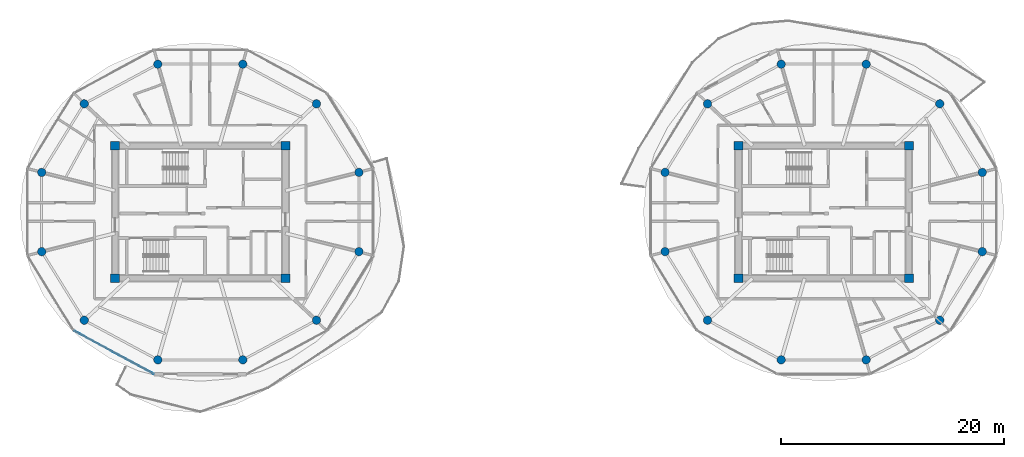
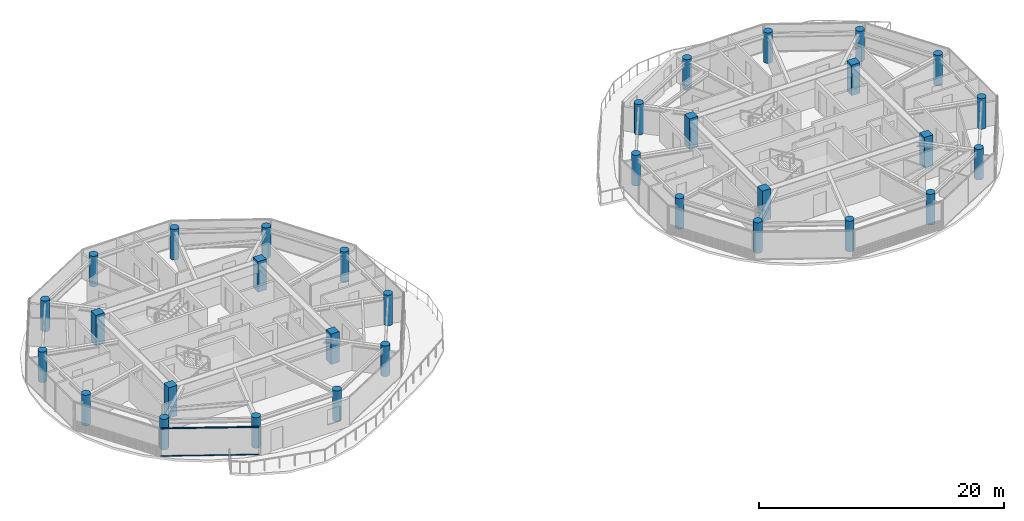
# One storey, part 1 of 19: 32 columns, 2 members, 1 element without a shape of its own.
"""IFC4 building model written with IfcOpenShell, lengths in metres."""

from ifc_helpers import new_model, si_unit, direction, frame, origin, origin_2d, place, context, subcontext, project, spatial, rectangle, circle, extrude, source, transform, mapped, material, layer, layer_set, material_profile, profile_set, type_object, type_shapes, element, aggregate, save


model = new_model("IFC4")

# Units and contexts
model_context = context("Model", 3, precision=1e-05, world=origin(), true_north=direction((0.0, 1.0)))
body_context = subcontext(model_context, "Body", "Model", "MODEL_VIEW")
ifc_project = project(units=[si_unit("LENGTHUNIT", "METRE"), si_unit("AREAUNIT", "SQUARE_METRE"), si_unit("VOLUMEUNIT", "CUBIC_METRE"), si_unit("PLANEANGLEUNIT", "RADIAN"), si_unit("MASSUNIT", "GRAM", prefix="KILO")], contexts=[model_context])

# Site, building, storey
site_placement = place(None, origin())
site = spatial("IfcSite", under=ifc_project, at=site_placement, CompositionType="ELEMENT")
building_placement = place(site_placement, origin())
building = spatial("IfcBuilding", under=site, at=building_placement, Name="Norrkilde Senior Care Towers", CompositionType="ELEMENT")
storey_placement = place(building_placement, frame((0.0, 0.0, 238.300048828125)))
storey = spatial("IfcBuildingStorey", under=building, at=storey_placement, Name="L74", CompositionType="ELEMENT", Elevation=238.300048828125)

# Columns
ifc_material_1 = material(Name="Concrete C60/75", Category="concrete")
ifc_material_profile_1 = material_profile(ifc_material_1, rectangle(XDim=0.800048828125, YDim=0.800048828125, at=origin_2d()), Name="RC COL 800x800")
ifc_profile_set_1 = profile_set([ifc_material_profile_1], Name="Concrete C60/75")
column_type_1 = type_object("IfcColumnType", Name="Column Core Corner Z3-Z4 800", PredefinedType="COLUMN", material=ifc_profile_set_1)
shared_shape_1 = source(origin(), body_context, "Body", "SweptSolid", [
    extrude(rectangle(XDim=0.800048828125, YDim=0.800048828125, at=origin_2d()), origin(), (0.0, 0.0, 1.0), 3.050048828125),
])
type_shapes(column_type_1, [shared_shape_1])
for number, where, z_axis, x_axis, name in (
    (1, (-35.64990234375, -5.949951171875, 0.0), (0.0, 0.0, 1.0), (1.0, 0.0, 0.0), "L74 Core W Corner Column 1"),
    (2, (-20.35009765625, -5.949951171875, 0.0), (0.0, 0.0, 1.0), (1.0, 0.0, 0.0), "L74 Core W Corner Column 2"),
    (3, (-20.35009765625, 5.949951171875, 0.0), (0.0, 0.0, 1.0), (1.0, 0.0, 0.0), "L74 Core W Corner Column 3"),
    (4, (-35.64990234375, 5.949951171875, 0.0), (0.0, 0.0, 1.0), (1.0, 0.0, 0.0), "L74 Core W Corner Column 4"),
    (5, (20.35009765625, -5.949951171875, 0.0), (0.0, 0.0, 1.0), (1.0, 0.0, 0.0), "L74 Core E Corner Column 1"),
    (6, (35.64990234375, -5.949951171875, 0.0), (0.0, 0.0, 1.0), (1.0, 0.0, 0.0), "L74 Core E Corner Column 2"),
    (7, (35.64990234375, 5.949951171875, 0.0), (0.0, 0.0, 1.0), (1.0, 0.0, 0.0), "L74 Core E Corner Column 3"),
    (8, (20.35009765625, 5.949951171875, 0.0), (0.0, 0.0, 1.0), (1.0, 0.0, 0.0), "L74 Core E Corner Column 4"),
):
    element("IfcColumn", number, at=place(storey_placement, frame(where, z_axis=z_axis, x_axis=x_axis)), inside=storey, type_object=column_type_1, Name=name, PredefinedType="COLUMN", context=body_context, shape_type="MappedRepresentation", body=[
        mapped(shared_shape_1, transform((0.0, 0.0, 0.0), x_axis=(1.0, 0.0, 0.0), y_axis=(0.0, 1.0, 0.0), z_axis=(0.0, 0.0, 1.0), scale=1.0)),
    ])
ifc_material_2 = material(Name="Concrete C50/60", Category="concrete")
ifc_material_profile_2 = material_profile(ifc_material_2, circle(Radius=0.375, at=origin_2d()), Name="RC CIR 750")
ifc_profile_set_2 = profile_set([ifc_material_profile_2], Name="Concrete C50/60")
column_type_2 = type_object("IfcColumnType", Name="Column Perimeter Z4 750", PredefinedType="COLUMN", material=ifc_profile_set_2)
shared_shape_2 = source(origin(), body_context, "Body", "SweptSolid", [
    extrude(circle(Radius=0.375, at=origin_2d()), origin(), (0.0, 0.0, 1.0), 3.050048828125),
])
type_shapes(column_type_2, [shared_shape_2])
for number, where, z_axis, x_axis, name in (
    (9, (-13.752685546875, 3.558837890625, 0.0), (0.0, 0.0, 1.0), (1.0, 0.0, 0.0), "L74 Drum W Perimeter Column 01"),
    (10, (-17.570068359375, 9.72265625, 0.0), (0.0, 0.0, 1.0), (1.0, 0.0, 0.0), "L74 Drum W Perimeter Column 02"),
    (11, (-24.182373046875, 13.281494140625, 0.0), (0.0, 0.0, 1.0), (1.0, 0.0, 0.0), "L74 Drum W Perimeter Column 03"),
    (12, (-31.817626953125, 13.281494140625, 0.0), (0.0, 0.0, 1.0), (1.0, 0.0, 0.0), "L74 Drum W Perimeter Column 04"),
    (13, (-38.429931640625, 9.72265625, 0.0), (0.0, 0.0, 1.0), (1.0, 0.0, 0.0), "L74 Drum W Perimeter Column 05"),
    (14, (-42.247314453125, 3.558837890625, 0.0), (0.0, 0.0, 1.0), (1.0, 0.0, 0.0), "L74 Drum W Perimeter Column 06"),
    (15, (-42.247314453125, -3.558837890625, 0.0), (0.0, 0.0, 1.0), (1.0, 0.0, 0.0), "L74 Drum W Perimeter Column 07"),
    (16, (-38.429931640625, -9.72265625, 0.0), (0.0, 0.0, 1.0), (1.0, 0.0, 0.0), "L74 Drum W Perimeter Column 08"),
    (17, (-31.817626953125, -13.281494140625, 0.0), (0.0, 0.0, 1.0), (1.0, 0.0, 0.0), "L74 Drum W Perimeter Column 09"),
    (18, (-24.182373046875, -13.281494140625, 0.0), (0.0, 0.0, 1.0), (1.0, 0.0, 0.0), "L74 Drum W Perimeter Column 10"),
    (19, (-17.570068359375, -9.72265625, 0.0), (0.0, 0.0, 1.0), (1.0, 0.0, 0.0), "L74 Drum W Perimeter Column 11"),
    (20, (-13.752685546875, -3.558837890625, 0.0), (0.0, 0.0, 1.0), (1.0, 0.0, 0.0), "L74 Drum W Perimeter Column 12"),
    (21, (42.247314453125, 3.558837890625, 0.0), (0.0, 0.0, 1.0), (1.0, 0.0, 0.0), "L74 Drum E Perimeter Column 01"),
    (22, (38.429931640625, 9.72265625, 0.0), (0.0, 0.0, 1.0), (1.0, 0.0, 0.0), "L74 Drum E Perimeter Column 02"),
    (23, (31.817626953125, 13.281494140625, 0.0), (0.0, 0.0, 1.0), (1.0, 0.0, 0.0), "L74 Drum E Perimeter Column 03"),
    (24, (24.182373046875, 13.281494140625, 0.0), (0.0, 0.0, 1.0), (1.0, 0.0, 0.0), "L74 Drum E Perimeter Column 04"),
    (25, (17.570068359375, 9.72265625, 0.0), (0.0, 0.0, 1.0), (1.0, 0.0, 0.0), "L74 Drum E Perimeter Column 05"),
    (26, (13.752685546875, 3.558837890625, 0.0), (0.0, 0.0, 1.0), (1.0, 0.0, 0.0), "L74 Drum E Perimeter Column 06"),
    (27, (13.752685546875, -3.558837890625, 0.0), (0.0, 0.0, 1.0), (1.0, 0.0, 0.0), "L74 Drum E Perimeter Column 07"),
    (28, (17.570068359375, -9.72265625, 0.0), (0.0, 0.0, 1.0), (1.0, 0.0, 0.0), "L74 Drum E Perimeter Column 08"),
    (29, (24.182373046875, -13.281494140625, 0.0), (0.0, 0.0, 1.0), (1.0, 0.0, 0.0), "L74 Drum E Perimeter Column 09"),
    (30, (31.817626953125, -13.281494140625, 0.0), (0.0, 0.0, 1.0), (1.0, 0.0, 0.0), "L74 Drum E Perimeter Column 10"),
    (31, (38.429931640625, -9.72265625, 0.0), (0.0, 0.0, 1.0), (1.0, 0.0, 0.0), "L74 Drum E Perimeter Column 11"),
    (32, (42.247314453125, -3.558837890625, 0.0), (0.0, 0.0, 1.0), (1.0, 0.0, 0.0), "L74 Drum E Perimeter Column 12"),
):
    element("IfcColumn", number, at=place(storey_placement, frame(where, z_axis=z_axis, x_axis=x_axis)), inside=storey, type_object=column_type_2, Name=name, PredefinedType="COLUMN", context=body_context, shape_type="MappedRepresentation", body=[
        mapped(shared_shape_2, transform((0.0, 0.0, 0.0), x_axis=(1.0, 0.0, 0.0), y_axis=(0.0, 1.0, 0.0), z_axis=(0.0, 0.0, 1.0), scale=1.0)),
    ])

# Curtain wall, members
ifc_material_3 = material(Name="Triple Low-E Insulated Glazing", Category="glass")
ifc_layer = layer(ifc_material_3, 0.18505859375)
ifc_layer_set = layer_set([ifc_layer], Name="Triple Low-E Insulated Glazing")
curtain_wall_type = type_object("IfcCurtainWallType", Name="CW6 Zone 4 Crown Pavilion Curtain Wall", PredefinedType="NOTDEFINED", material=ifc_layer_set)
curtain_wall_placement = place(storey_placement, origin())
curtain_wall = element("IfcCurtainWall", 33, at=curtain_wall_placement, inside=storey, type_object=curtain_wall_type, Name="L74 Drum W Curtain Wall 07", PredefinedType="NOTDEFINED")
ifc_material_4 = material(Name="Anodised Aluminium", Category="aluminium")
ifc_material_profile_3 = material_profile(ifc_material_4, rectangle(XDim=0.06005859375, YDim=0.1201171875, at=origin_2d()), Name="ALU TRAN 60x120")
ifc_profile_set_3 = profile_set([ifc_material_profile_3], Name="Anodised Aluminium")
member_type = type_object("IfcMemberType", Name="Curtain Wall Transom Typical 60x120", PredefinedType="USERDEFINED", material=ifc_profile_set_3)
shared_shape_3 = source(origin(), body_context, "Body", "SweptSolid", [
    extrude(rectangle(XDim=0.06005859375, YDim=0.1201171875, at=origin_2d()), origin(), (0.0, 0.0, 1.0), 8.0673828125),
])
type_shapes(member_type, [shared_shape_3])
member_1_placement = place(storey_placement, frame((-32.218994140625, -14.53515625, 0.030029296875), z_axis=(-0.87937750072, 0.476125205411, 0.0), x_axis=(-0.476125205411, -0.87937750072, 0.0)))
member_1 = element("IfcMember", 34, at=member_1_placement, type_object=member_type, Name="CW-6 transom 1.1", ObjectType="TRANSOM", PredefinedType="USERDEFINED", context=body_context, shape_type="MappedRepresentation", body=[
    mapped(shared_shape_3, transform((0.0, 0.0, 0.0), x_axis=(1.0, 0.0, 0.0), y_axis=(0.0, 1.0, 0.0), z_axis=(0.0, 0.0, 1.0), scale=1.0)),
])
member_2_placement = place(storey_placement, frame((-32.218994140625, -14.53515625, 2.780029296875), z_axis=(-0.87937750072, 0.476125205411, 0.0), x_axis=(-0.476125205411, -0.87937750072, 0.0)))
member_2 = element("IfcMember", 35, at=member_2_placement, type_object=member_type, Name="CW-6 transom 1.2", ObjectType="TRANSOM", PredefinedType="USERDEFINED", context=body_context, shape_type="MappedRepresentation", body=[
    mapped(shared_shape_3, transform((0.0, 0.0, 0.0), x_axis=(1.0, 0.0, 0.0), y_axis=(0.0, 1.0, 0.0), z_axis=(0.0, 0.0, 1.0), scale=1.0)),
])
aggregate(curtain_wall, [member_1, member_2])

save(model, "model.ifc")
